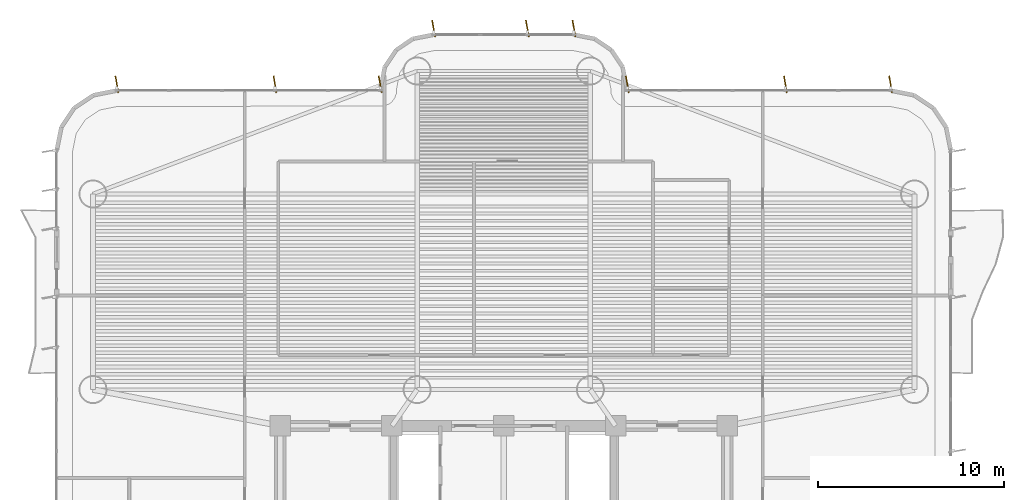
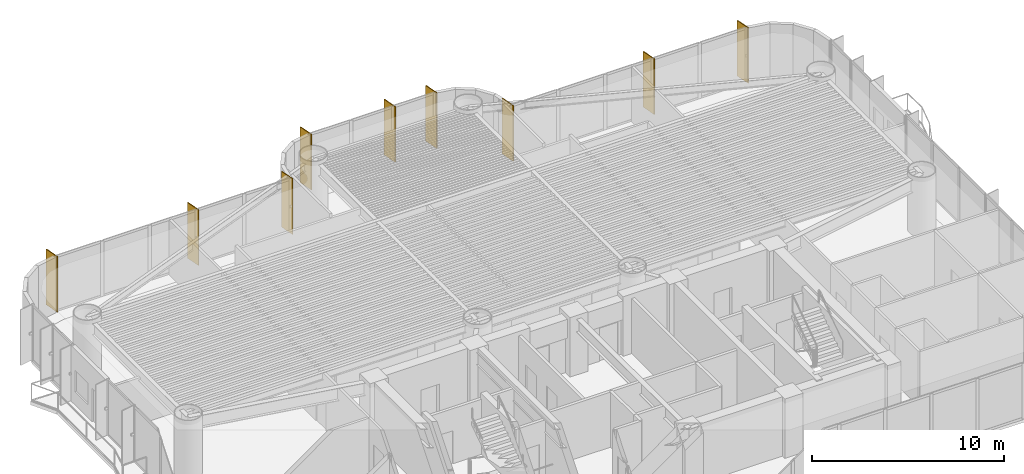
# One storey, part 17 of 17: 9 shading devices.
"""IFC4 building model written with IfcOpenShell, lengths in metres."""

from ifc_helpers import new_model, si_unit, direction, frame, origin, origin_2d, place, context, subcontext, project, spatial, rectangle, extrude, source, transform, mapped, material, material_profile, profile_set, type_object, element, save


model = new_model("IFC4")

# Units and contexts
model_context = context("Model", 3, precision=1e-05, world=origin(), true_north=direction((0.0, 1.0)))
body_context = subcontext(model_context, "Body", "Model", "MODEL_VIEW")
ifc_project = project(units=[si_unit("LENGTHUNIT", "METRE"), si_unit("AREAUNIT", "SQUARE_METRE"), si_unit("VOLUMEUNIT", "CUBIC_METRE"), si_unit("PLANEANGLEUNIT", "RADIAN"), si_unit("MASSUNIT", "GRAM", prefix="KILO")], contexts=[model_context])

# Site, building, storey
site_placement = place(None, origin())
site = spatial("IfcSite", under=ifc_project, at=site_placement, CompositionType="ELEMENT")
building_placement = place(site_placement, origin())
building = spatial("IfcBuilding", under=site, at=building_placement, Name="Brelvock Crest Care Tower", CompositionType="ELEMENT")
storey_placement = place(building_placement, frame((0.0, 0.0, 53.4599609375)))
storey = spatial("IfcBuildingStorey", under=building, at=storey_placement, Name="L13", CompositionType="ELEMENT", Elevation=53.4599609375)

# Shading devices
ifc_material = material(Name="Aluminium 6063-T6", Category="aluminium")
ifc_material_profile = material_profile(ifc_material, rectangle(XDim=0.054931640625, YDim=0.89990234375, at=origin_2d()), Name="FIN55x900")
ifc_profile_set = profile_set([ifc_material_profile], Name="Aluminium 6063-T6")
shading_device_type = type_object("IfcShadingDeviceType", Name="SHD-FIN1", PredefinedType="USERDEFINED", material=ifc_profile_set)
shared_shape = source(origin(), body_context, "Body", "SweptSolid", [
    extrude(rectangle(XDim=0.054931640625, YDim=0.89990234375, at=origin_2d()), origin(), (0.0, 0.0, 1.0), 3.530029296875),
])
for number, where, z_axis, x_axis, name in (
    (1, (15.232421875, 36.340087890625, 0.0), (0.0, 0.0, 1.0), (0.984807753012, 0.173648177667, 0.0), "L13 Vertical Sunshade Fin E18-01"),
    (2, (23.719970703125, 36.340087890625, 0.0), (0.0, 0.0, 1.0), (0.984807753012, 0.173648177667, 0.0), "L13 Vertical Sunshade Fin E18-04"),
    (3, (29.367431640625, 36.340087890625, 0.0), (0.0, 0.0, 1.0), (0.984807753012, 0.173648177667, 0.0), "L13 Vertical Sunshade Fin E18-06"),
    (4, (32.232421875, 39.340087890625, 0.0), (0.0, 0.0, 1.0), (0.984807753012, 0.173648177667, 0.0), "L13 Vertical Sunshade Fin E24-01"),
    (5, (37.2666015625, 39.340087890625, 0.0), (0.0, 0.0, 1.0), (0.984807753012, 0.173648177667, 0.0), "L13 Vertical Sunshade Fin E24-03"),
    (6, (39.767578125, 39.340087890625, 0.0), (0.0, 0.0, 1.0), (0.984807753012, 0.173648177667, 0.0), "L13 Vertical Sunshade Fin E24-04"),
    (7, (42.632568359375, 36.340087890625, 0.0), (0.0, 0.0, 1.0), (0.984807753012, 0.173648177667, 0.0), "L13 Vertical Sunshade Fin E30-01"),
    (8, (51.1201171875, 36.340087890625, 0.0), (0.0, 0.0, 1.0), (0.984807753012, 0.173648177667, 0.0), "L13 Vertical Sunshade Fin E30-04"),
    (9, (56.767578125, 36.340087890625, 0.0), (0.0, 0.0, 1.0), (0.984807753012, 0.173648177667, 0.0), "L13 Vertical Sunshade Fin E30-06"),
):
    element("IfcShadingDevice", number, at=place(storey_placement, frame(where, z_axis=z_axis, x_axis=x_axis)), inside=storey, type_object=shading_device_type, Name=name, ObjectType="FIN", PredefinedType="USERDEFINED", context=body_context, shape_type="MappedRepresentation", body=[
        mapped(shared_shape, transform((0.0, 0.0, 0.0), x_axis=(1.0, 0.0, 0.0), y_axis=(0.0, 1.0, 0.0), z_axis=(0.0, 0.0, 1.0), scale=1.0)),
    ])

save(model, "model.ifc")
